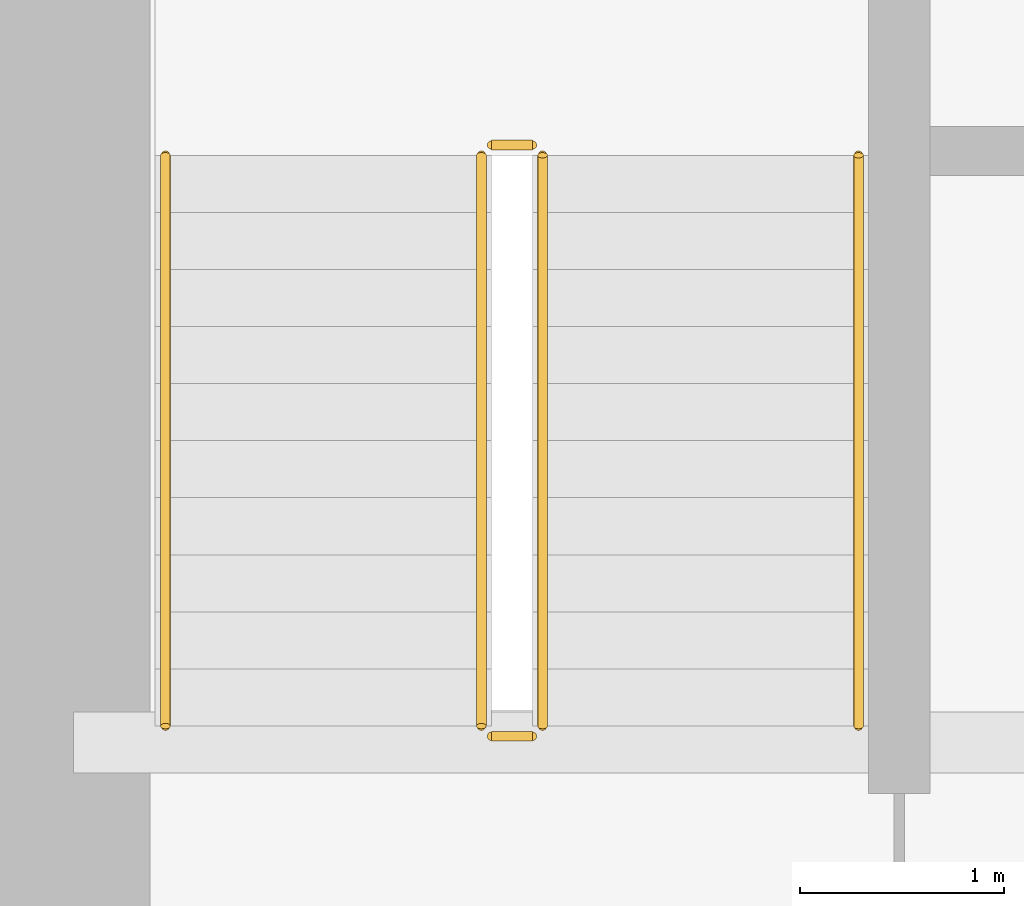
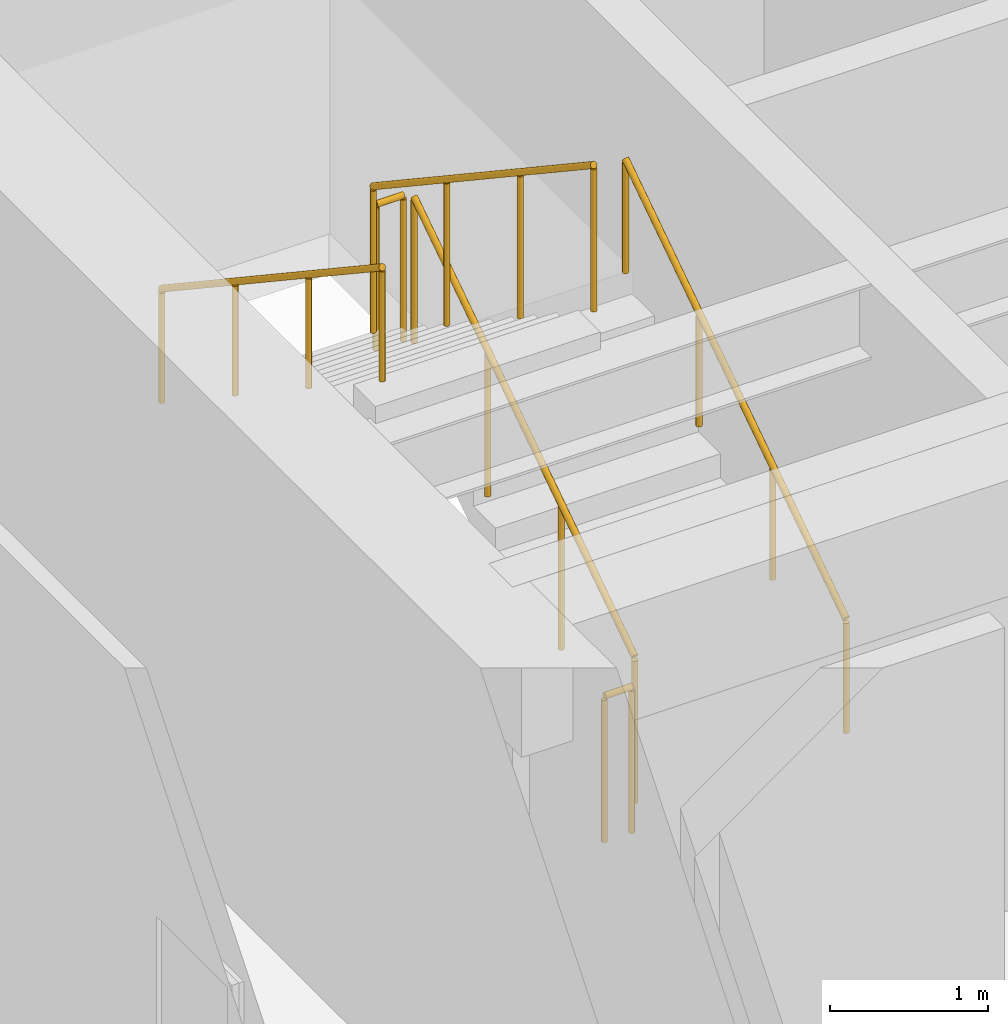
# One storey, part 34 of 35: 6 railings.
"""IFC4 building model written with IfcOpenShell, lengths in metres."""

from ifc_helpers import new_model, si_unit, direction, frame, origin, origin_2d, place, context, subcontext, project, spatial, circle, extrude, source, transform, mapped, material, type_object, type_shapes, element, save


model = new_model("IFC4")

# Units and contexts
model_context = context("Model", 3, precision=1e-05, world=origin(), true_north=direction((0.0, 1.0)))
body_context = subcontext(model_context, "Body", "Model", "MODEL_VIEW")
ifc_project = project(units=[si_unit("LENGTHUNIT", "METRE"), si_unit("AREAUNIT", "SQUARE_METRE"), si_unit("VOLUMEUNIT", "CUBIC_METRE"), si_unit("PLANEANGLEUNIT", "RADIAN"), si_unit("MASSUNIT", "GRAM", prefix="KILO")], contexts=[model_context])

# Site, building, storey
site_placement = place(None, origin())
site = spatial("IfcSite", under=ifc_project, at=site_placement, CompositionType="ELEMENT")
building_placement = place(site_placement, origin())
building = spatial("IfcBuilding", under=site, at=building_placement, Name="Haelvirn Gate Laboratories", CompositionType="ELEMENT")
storey_placement = place(building_placement, frame((0.0, 0.0, 70.300048828125)))
storey = spatial("IfcBuildingStorey", under=building, at=storey_placement, Name="L17", CompositionType="ELEMENT", Elevation=70.300048828125)

# Railings
ifc_material_1 = material(Name="Galvanised steel SM355 & stainless top rail", Category="steel")
railing_type_1 = type_object("IfcRailingType", Name="RL-GUARD-1150", PredefinedType="GUARDRAIL", material=ifc_material_1)
shared_shape_1 = source(origin(), body_context, "Body", "SweptSolid", [
    extrude(circle(Radius=0.02392578125, at=origin_2d()), frame((0.0, 0.0, 1.1259765625), z_axis=(-1.0, 0.0, 0.0), x_axis=(0.0, -1.0, 0.0)), (0.0, 0.0, 1.0), 0.199951171875),
    extrude(circle(Radius=0.02099609375, at=origin_2d()), origin(), (0.0, 0.0, 1.0), 1.101806640625),
    extrude(circle(Radius=0.02099609375, at=origin_2d()), frame((-0.199951171875, 0.0, 0.0)), (0.0, 0.0, 1.0), 1.101806640625),
])
for number, where, name in (
    (1, (9.64990234375, 29.550048828125, 2.050048828125), "L17 ST1 stair guard 2"),
    (2, (9.64990234375, 26.64990234375, 0.0), "L17 ST1 stair guard 4"),
):
    element("IfcRailing", number, at=place(storey_placement, frame(where)), inside=storey, type_object=railing_type_1, Name=name, PredefinedType="GUARDRAIL", context=body_context, shape_type="MappedRepresentation", body=[
        mapped(shared_shape_1, transform((0.0, 0.0, 0.0), scale=1.0)),
    ])
shared_shape_2 = source(origin(), body_context, "Body", "SweptSolid", [
    extrude(circle(Radius=0.02392578125, at=origin_2d()), frame((0.0, 0.0, 1.1259765625), z_axis=(0.0, 0.832452072856, 0.554097055034), x_axis=(-1.0, 0.0, 0.0)), (0.0, 0.0, 1.0), 3.363525390625),
    extrude(circle(Radius=0.02099609375, at=origin_2d()), origin(), (0.0, 0.0, 1.0), 1.101806640625),
    extrude(circle(Radius=0.02099609375, at=origin_2d()), frame((0.0, 0.933349609375, 0.621337890625)), (0.0, 0.0, 1.0), 1.101806640625),
    extrude(circle(Radius=0.02099609375, at=origin_2d()), frame((0.0, 1.86669921875, 1.242431640625)), (0.0, 0.0, 1.0), 1.101806640625),
    extrude(circle(Radius=0.02099609375, at=origin_2d()), frame((0.0, 2.800048828125, 1.86376953125)), (0.0, 0.0, 1.0), 1.101806640625),
])
railing_1_placement = place(storey_placement, frame((9.699951171875, 26.699951171875, 0.186279296875)))
element("IfcRailing", 3, at=railing_1_placement, inside=storey, type_object=railing_type_1, Name="L17 ST1 stair guard 1", PredefinedType="GUARDRAIL", context=body_context, shape_type="MappedRepresentation", body=[
    mapped(shared_shape_2, transform((0.0, 0.0, 0.0), scale=1.0)),
])
shared_shape_3 = source(origin(), body_context, "Body", "SweptSolid", [
    extrude(circle(Radius=0.02392578125, at=origin_2d()), frame((0.0, 0.0, 1.1259765625), z_axis=(0.0, -0.832485552168, 0.554046753832), x_axis=(1.0, 0.0, 0.0)), (0.0, 0.0, 1.0), 3.363525390625),
    extrude(circle(Radius=0.02099609375, at=origin_2d()), origin(), (0.0, 0.0, 1.0), 1.101806640625),
    extrude(circle(Radius=0.02099609375, at=origin_2d()), frame((0.0, -0.933349609375, 0.62109375)), (0.0, 0.0, 1.0), 1.101806640625),
    extrude(circle(Radius=0.02099609375, at=origin_2d()), frame((0.0, -1.86669921875, 1.242431640625)), (0.0, 0.0, 1.0), 1.101806640625),
    extrude(circle(Radius=0.02099609375, at=origin_2d()), frame((0.0, -2.800048828125, 1.863525390625)), (0.0, 0.0, 1.0), 1.101806640625),
])
type_shapes(railing_type_1, [shared_shape_1, shared_shape_2, shared_shape_3])
railing_2_placement = place(storey_placement, frame((9.39990234375, 29.5, 2.236328125)))
element("IfcRailing", 4, at=railing_2_placement, inside=storey, type_object=railing_type_1, Name="L17 ST1 stair guard 3", PredefinedType="GUARDRAIL", context=body_context, shape_type="MappedRepresentation", body=[
    mapped(shared_shape_3, transform((0.0, 0.0, 0.0), scale=1.0)),
])
ifc_material_2 = material(Name="Brushed stainless steel 316L", Category="steel")
railing_type_2 = type_object("IfcRailingType", Name="RL-HAND-920", PredefinedType="HANDRAIL", material=ifc_material_2)
shared_shape_4 = source(origin(), body_context, "Body", "SweptSolid", [
    extrude(circle(Radius=0.02392578125, at=origin_2d()), frame((0.0, 0.0, 0.8759765625), z_axis=(0.0, 0.832452072856, 0.554097055034), x_axis=(-1.0, 0.0, 0.0)), (0.0, 0.0, 1.0), 3.363525390625),
    extrude(circle(Radius=0.02099609375, at=origin_2d()), origin(), (0.0, 0.0, 1.0), 0.851806640625),
    extrude(circle(Radius=0.02099609375, at=origin_2d()), frame((0.0, 0.933349609375, 0.621337890625)), (0.0, 0.0, 1.0), 0.851806640625),
    extrude(circle(Radius=0.02099609375, at=origin_2d()), frame((0.0, 1.86669921875, 1.242431640625)), (0.0, 0.0, 1.0), 0.851806640625),
    extrude(circle(Radius=0.02099609375, at=origin_2d()), frame((0.0, 2.800048828125, 1.86376953125)), (0.0, 0.0, 1.0), 0.851806640625),
])
railing_3_placement = place(storey_placement, frame((11.25, 26.699951171875, 0.186279296875)))
element("IfcRailing", 5, at=railing_3_placement, inside=storey, type_object=railing_type_2, Name="L17 ST1 stair handrail 1", PredefinedType="HANDRAIL", context=body_context, shape_type="MappedRepresentation", body=[
    mapped(shared_shape_4, transform((0.0, 0.0, 0.0), scale=1.0)),
])
shared_shape_5 = source(origin(), body_context, "Body", "SweptSolid", [
    extrude(circle(Radius=0.02392578125, at=origin_2d()), frame((0.0, 0.0, 0.8759765625), z_axis=(0.0, -0.832485552168, 0.554046753832), x_axis=(1.0, 0.0, 0.0)), (0.0, 0.0, 1.0), 3.363525390625),
    extrude(circle(Radius=0.02099609375, at=origin_2d()), origin(), (0.0, 0.0, 1.0), 0.851806640625),
    extrude(circle(Radius=0.02099609375, at=origin_2d()), frame((0.0, -0.933349609375, 0.62109375)), (0.0, 0.0, 1.0), 0.851806640625),
    extrude(circle(Radius=0.02099609375, at=origin_2d()), frame((0.0, -1.86669921875, 1.242431640625)), (0.0, 0.0, 1.0), 0.851806640625),
    extrude(circle(Radius=0.02099609375, at=origin_2d()), frame((0.0, -2.800048828125, 1.863525390625)), (0.0, 0.0, 1.0), 0.851806640625),
])
type_shapes(railing_type_2, [shared_shape_4, shared_shape_5])
railing_4_placement = place(storey_placement, frame((7.85009765625, 29.5, 2.236328125)))
element("IfcRailing", 6, at=railing_4_placement, inside=storey, type_object=railing_type_2, Name="L17 ST1 stair handrail 2", PredefinedType="HANDRAIL", context=body_context, shape_type="MappedRepresentation", body=[
    mapped(shared_shape_5, transform((0.0, 0.0, 0.0), scale=1.0)),
])

save(model, "model.ifc")
